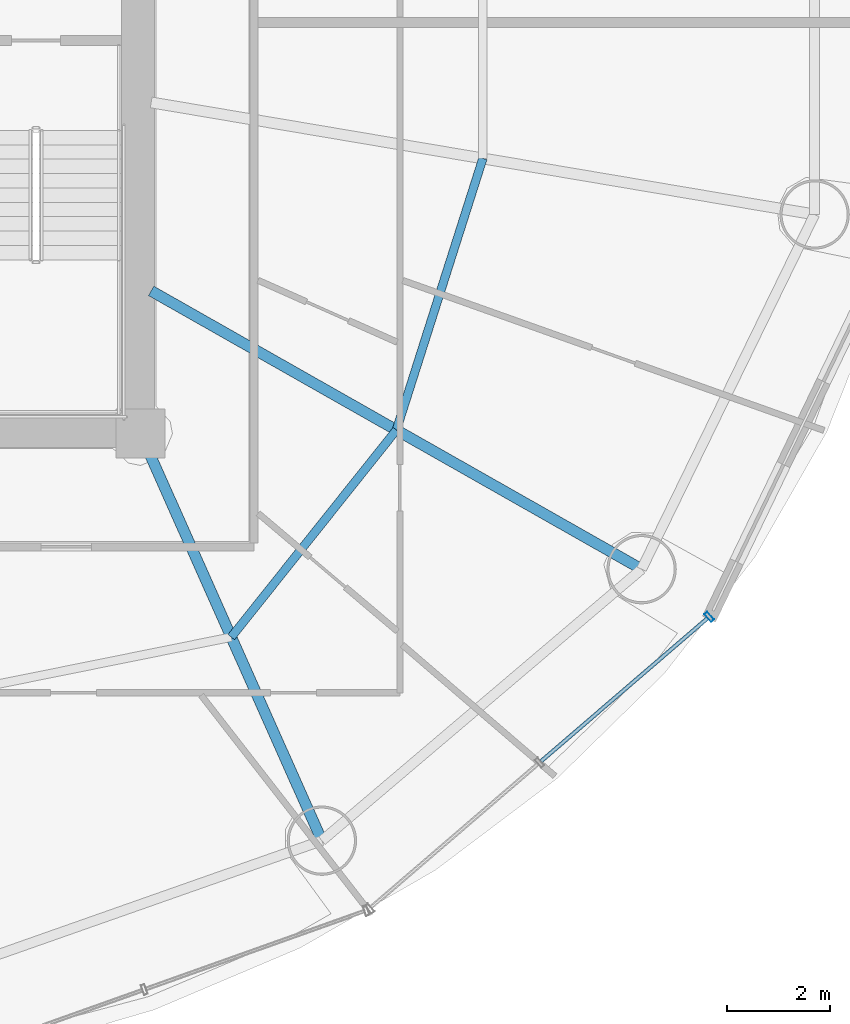
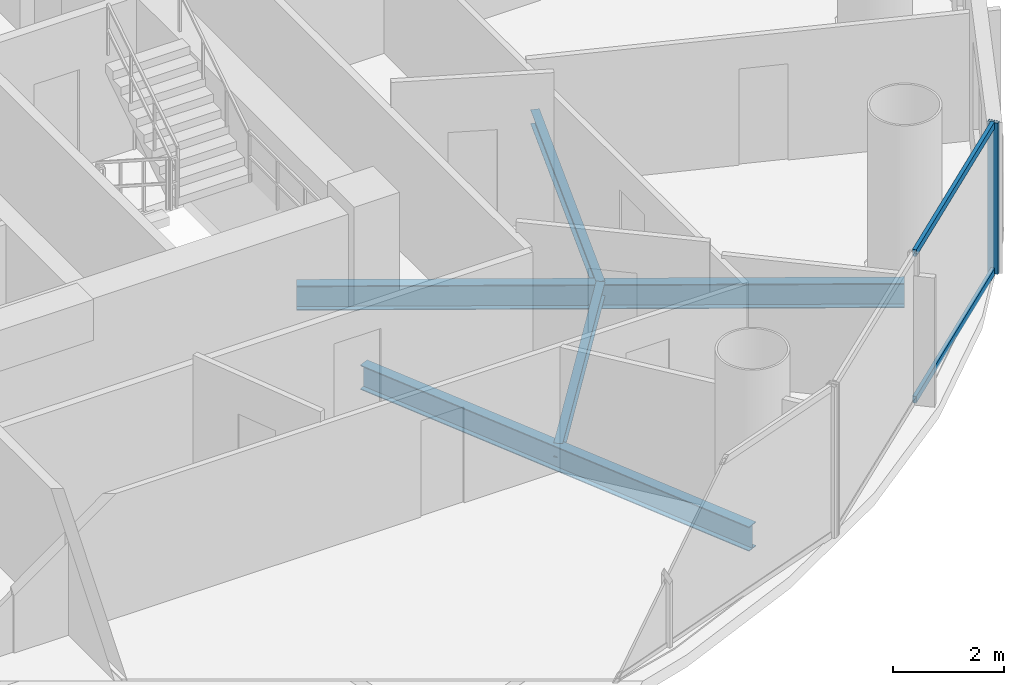
# One storey, part 10 of 27: 4 beams, 3 members, 1 element without a shape of its own.
"""IFC4 building model written with IfcOpenShell, lengths in metres."""

from ifc_helpers import new_model, si_unit, direction, frame, origin, origin_2d, place, context, subcontext, project, spatial, hollow_rectangle, i_section, extrude, source, transform, mapped, material, material_profile, profile_set, type_object, element, aggregate, save


model = new_model("IFC4")

# Units and contexts
model_context = context("Model", 3, precision=1e-05, world=origin(), true_north=direction((-0.2419218956, 0.970295726276)))
body_context = subcontext(model_context, "Body", "Model", "MODEL_VIEW")
ifc_project = project(units=[si_unit("LENGTHUNIT", "METRE"), si_unit("AREAUNIT", "SQUARE_METRE"), si_unit("VOLUMEUNIT", "CUBIC_METRE"), si_unit("PLANEANGLEUNIT", "RADIAN"), si_unit("MASSUNIT", "GRAM", prefix="KILO")], contexts=[model_context])

# Site, building, storey
site_placement = place(None, origin())
site = spatial("IfcSite", under=ifc_project, at=site_placement, CompositionType="ELEMENT")
building_placement = place(site_placement, origin())
building = spatial("IfcBuilding", under=site, at=building_placement, Name="Cobrevalo Terracotta Tower", CompositionType="ELEMENT")
storey_placement = place(building_placement, frame((0.0, 0.0, 164.199951171875)))
storey = spatial("IfcBuildingStorey", under=building, at=storey_placement, Name="L43", CompositionType="ELEMENT", Elevation=164.199951171875)

# Beams
ifc_material_1 = material(Name="Steel S355", Category="steel")
ifc_material_profile_1 = material_profile(ifc_material_1, i_section(OverallWidth=0.2109375, OverallDepth=0.5390625, WebThickness=0.01171875, FlangeThickness=0.018798828125, at=origin_2d()), Name="W 530x109")
ifc_profile_set_1 = profile_set([ifc_material_profile_1], Name="Steel S355")
beam_type_1 = type_object("IfcBeamType", Name="Structural Beam W 530x109 (Steel S355)", PredefinedType="BEAM", material=ifc_profile_set_1)
beam_1_placement = place(storey_placement, frame((50.528076171875, 10.87744140625, -0.53955078125), z_axis=(-0.406804395691, 0.913515289224, 0.0), x_axis=(-0.913515289224, -0.406804395691, 0.0)))
element("IfcBeam", 1, at=beam_1_placement, inside=storey, type_object=beam_type_1, Name="L43 radial floor girder 14", PredefinedType="BEAM", context=body_context, shape_type="SweptSolid", body=[
    extrude(i_section(OverallWidth=0.2109375, OverallDepth=0.5390625, WebThickness=0.01171875, FlangeThickness=0.018798828125, at=origin_2d()), origin(), (0.0, 0.0, 1.0), 8.672607421875),
])
beam_2_placement = place(storey_placement, frame((56.749755859375, 16.160888671875, -0.53955078125), z_axis=(-0.869743726706, 0.493503647257, 0.0), x_axis=(-0.493503647257, -0.869743726706, 0.0)))
element("IfcBeam", 2, at=beam_2_placement, inside=storey, type_object=beam_type_1, Name="L43 radial floor girder 15", PredefinedType="BEAM", context=body_context, shape_type="SweptSolid", body=[
    extrude(i_section(OverallWidth=0.2109375, OverallDepth=0.5390625, WebThickness=0.01171875, FlangeThickness=0.018798828125, at=origin_2d()), origin(), (0.0, 0.0, 1.0), 10.97412109375),
])
ifc_material_profile_2 = material_profile(ifc_material_1, i_section(OverallWidth=0.1650390625, OverallDepth=0.31005859375, WebThickness=0.005859375, FlangeThickness=0.009765625, at=origin_2d()), Name="W 310x38.7")
ifc_profile_set_2 = profile_set([ifc_material_profile_2], Name="Steel S355")
beam_type_2 = type_object("IfcBeamType", Name="Structural Joist W 310x38.7 (Steel S355)", PredefinedType="JOIST", material=ifc_profile_set_2)
beam_3_placement = place(storey_placement, frame((48.76416015625, 14.838623046875, -0.425048828125), z_axis=(0.623382939397, 0.781916690492, 0.0), x_axis=(-0.781916690492, 0.623382939397, 0.0)))
element("IfcBeam", 3, at=beam_3_placement, inside=storey, type_object=beam_type_2, Name="L43 circumferential secondary floor joist 14", PredefinedType="JOIST", context=body_context, shape_type="SweptSolid", body=[
    extrude(i_section(OverallWidth=0.1650390625, OverallDepth=0.31005859375, WebThickness=0.005859375, FlangeThickness=0.009765625, at=origin_2d()), origin(), (0.0, 0.0, 1.0), 5.154296875),
])
beam_4_placement = place(storey_placement, frame((51.977294921875, 18.868896484375, -0.425048828125), z_axis=(0.303497928386, 0.952832098255, 0.0), x_axis=(-0.952832098255, 0.303497928386, 0.0)))
element("IfcBeam", 4, at=beam_4_placement, inside=storey, type_object=beam_type_2, Name="L43 circumferential secondary floor joist 15", PredefinedType="JOIST", context=body_context, shape_type="SweptSolid", body=[
    extrude(i_section(OverallWidth=0.1650390625, OverallDepth=0.31005859375, WebThickness=0.005859375, FlangeThickness=0.009765625, at=origin_2d()), origin(), (0.0, 0.0, 1.0), 5.54736328125),
])

# Curtain wall, members
ifc_material_2 = material(Name="Anodized aluminium", Category="aluminium")
curtain_wall_type = type_object("IfcCurtainWallType", Name="Mid-tower high-wind unitised curtain wall CW-U2", PredefinedType="NOTDEFINED", material=ifc_material_2)
curtain_wall_placement = place(storey_placement, origin())
curtain_wall = element("IfcCurtainWall", 5, at=curtain_wall_placement, inside=storey, type_object=curtain_wall_type, Name="L43 curtain wall CW-L43-S14", PredefinedType="NOTDEFINED")
ifc_material_profile_3 = material_profile(ifc_material_2, hollow_rectangle(XDim=0.074951171875, YDim=0.199951171875, WallThickness=0.0048828125, at=origin_2d()), Name="CWM 75x200")
ifc_profile_set_3 = profile_set([ifc_material_profile_3], Name="Anodized aluminium")
member_type_1 = type_object("IfcMemberType", Name="Lower/mid tower unitised mullion 75x200", PredefinedType="MULLION", material=ifc_profile_set_3)
shared_shape_1 = source(origin(), body_context, "Body", "SweptSolid", [
    extrude(hollow_rectangle(XDim=0.074951171875, YDim=0.199951171875, WallThickness=0.0048828125, at=origin_2d()), origin(), (0.0, 0.0, 1.0), 3.330078125),
])
member_1_placement = place(storey_placement, frame((58.066162109375, 15.234619140625, 0.0), z_axis=(0.0, 0.0, 1.0), x_axis=(0.758441546142, 0.65174106905, 0.0)))
member_1 = element("IfcMember", 6, at=member_1_placement, type_object=member_type_1, Name="CW-L43-S14 vertical mullion 03", PredefinedType="MULLION", context=body_context, shape_type="MappedRepresentation", body=[
    mapped(shared_shape_1, transform((0.0, 0.0, 0.0), scale=1.0)),
])
ifc_material_profile_4 = material_profile(ifc_material_2, hollow_rectangle(XDim=0.074951171875, YDim=0.14990234375, WallThickness=0.00439453125, at=origin_2d()), Name="CWT 75x150")
ifc_profile_set_4 = profile_set([ifc_material_profile_4], Name="Anodized aluminium")
member_type_2 = type_object("IfcMemberType", Name="Tower unitised aluminium transom 75x150", PredefinedType="USERDEFINED", material=ifc_profile_set_4)
shared_shape_2 = source(origin(), body_context, "Body", "SweptSolid", [
    extrude(hollow_rectangle(XDim=0.074951171875, YDim=0.14990234375, WallThickness=0.00439453125, at=origin_2d()), origin(), (0.0, 0.0, 1.0), 4.276123046875),
])
member_2_placement = place(storey_placement, frame((54.792724609375, 12.421630859375, 0.050048828125), z_axis=(0.758417719247, 0.651768795764, 0.0), x_axis=(-0.651768795764, 0.758417719247, 0.0)))
member_2 = element("IfcMember", 7, at=member_2_placement, type_object=member_type_2, Name="CW-L43-S14 transom B02-T1", ObjectType="TRANSOM", PredefinedType="USERDEFINED", context=body_context, shape_type="MappedRepresentation", body=[
    mapped(shared_shape_2, transform((0.0, 0.0, 0.0), scale=1.0)),
])
member_3_placement = place(storey_placement, frame((54.792724609375, 12.421630859375, 3.280029296875), z_axis=(0.758417719247, 0.651768795764, 0.0), x_axis=(-0.651768795764, 0.758417719247, 0.0)))
member_3 = element("IfcMember", 8, at=member_3_placement, type_object=member_type_2, Name="CW-L43-S14 transom B02-T2", ObjectType="TRANSOM", PredefinedType="USERDEFINED", context=body_context, shape_type="MappedRepresentation", body=[
    mapped(shared_shape_2, transform((0.0, 0.0, 0.0), scale=1.0)),
])
aggregate(curtain_wall, [member_1, member_2, member_3])

save(model, "model.ifc")
